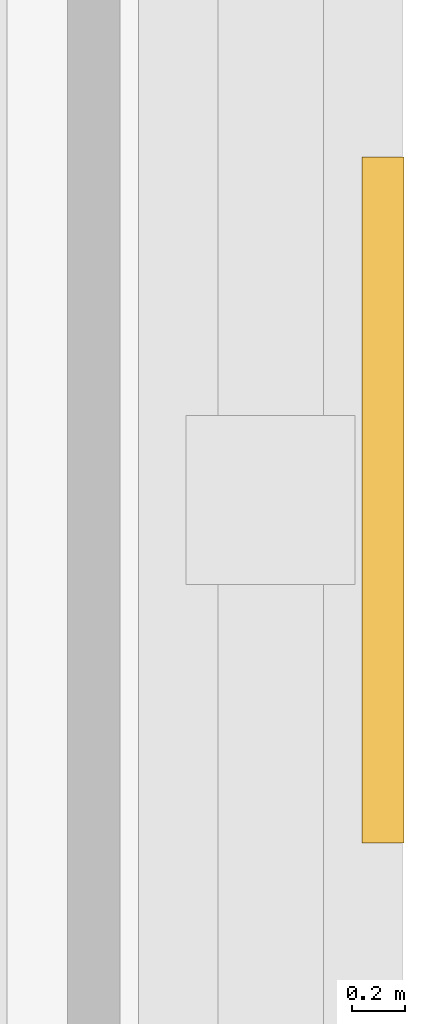
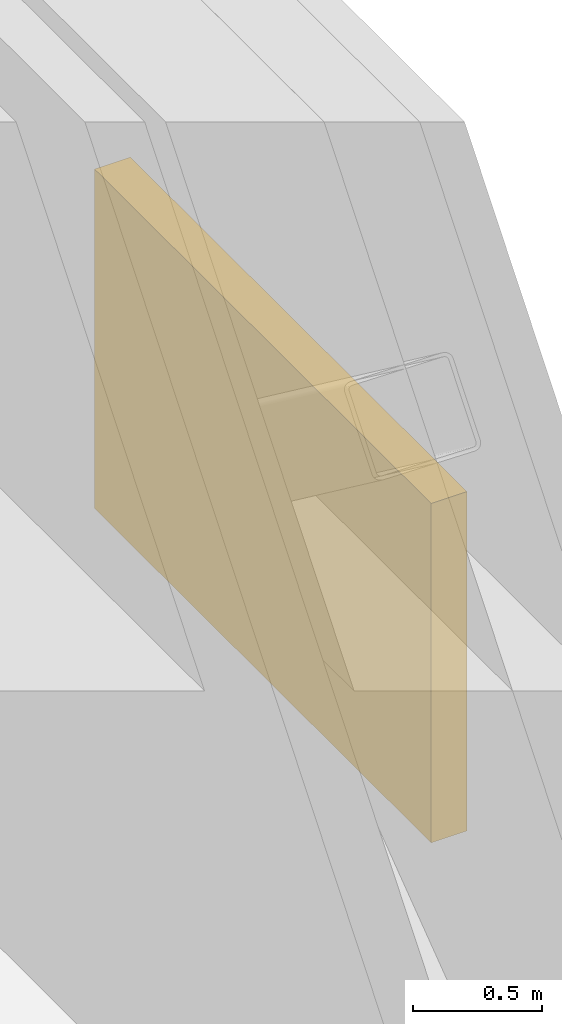
# One storey, part 15 of 17: 1 shading device.
"""IFC4 building model written with IfcOpenShell, lengths in metres."""

from ifc_helpers import new_model, si_unit, direction, frame, origin, origin_2d, place, context, subcontext, project, spatial, rectangle, extrude, material, type_object, element, save


model = new_model("IFC4")

# Units and contexts
model_context = context("Model", 3, precision=1e-05, world=origin(), true_north=direction((0.0, 1.0)))
body_context = subcontext(model_context, "Body", "Model", "MODEL_VIEW")
ifc_project = project(units=[si_unit("LENGTHUNIT", "METRE"), si_unit("AREAUNIT", "SQUARE_METRE"), si_unit("VOLUMEUNIT", "CUBIC_METRE"), si_unit("PLANEANGLEUNIT", "RADIAN"), si_unit("MASSUNIT", "GRAM", prefix="KILO")], contexts=[model_context])

# Site, building, storey
site_placement = place(None, origin())
site = spatial("IfcSite", under=ifc_project, at=site_placement, CompositionType="ELEMENT")
building_placement = place(site_placement, origin())
building = spatial("IfcBuilding", under=site, at=building_placement, Name="Cairnveth Concourse Tower", CompositionType="ELEMENT")
storey_placement = place(building_placement, frame((0.0, 0.0, 276.0)))
storey = spatial("IfcBuildingStorey", under=building, at=storey_placement, Name="L76", CompositionType="ELEMENT", Elevation=276.0)

# Shading device
ifc_material = material(Name="Architectural Bronze Anodised Aluminium 6063-T6", Category="aluminium")
shading_device_type = type_object("IfcShadingDeviceType", Name="PLANT ACOUSTIC WEATHER LOUVRE", PredefinedType="JALOUSIE", material=ifc_material)
shading_device_placement = place(storey_placement, frame((74.575927734375, 41.39990234375, 0.949951171875), z_axis=(0.0, 0.0, 1.0), x_axis=(1.0, 0.0, 0.0)))
element("IfcShadingDevice", 1, at=shading_device_placement, inside=storey, type_object=shading_device_type, Name="Plant Acoustic Weather Louvre L76-8-2", PredefinedType="JALOUSIE", context=body_context, shape_type="SweptSolid", body=[
    extrude(rectangle(XDim=0.159912109375, YDim=2.60009765625, at=origin_2d()), origin(), (0.0, 0.0, 1.0), 1.60009765625),
])

save(model, "model.ifc")
